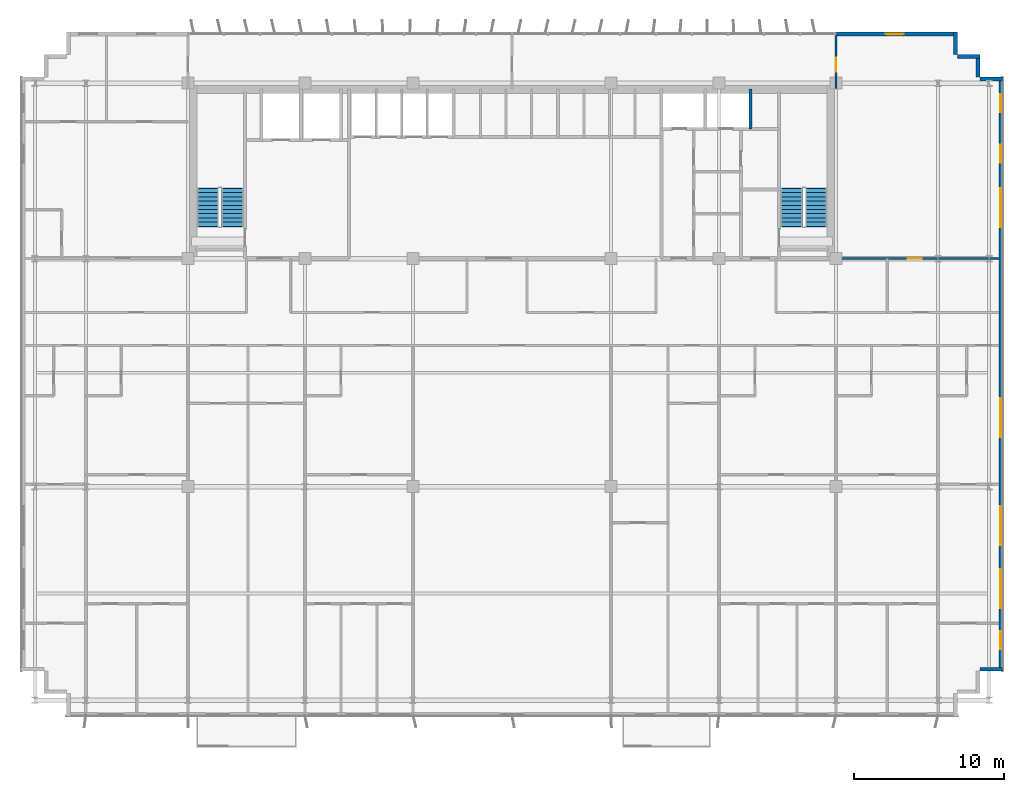
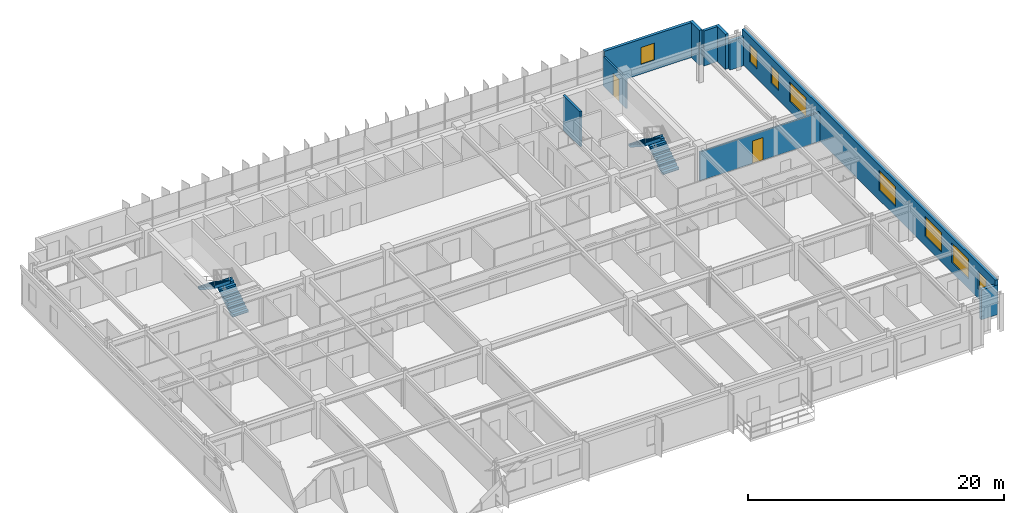
# One storey, part 19 of 22: 10 walls, 8 windows, 4 stair flights, 2 doors, 10 openings, 2 elements without a shape of their own.
"""IFC4 building model written with IfcOpenShell, lengths in metres."""

from ifc_helpers import new_model, si_unit, direction, frame, frame_2d, origin, place, context, subcontext, project, spatial, polyline, rectangle, outline, extrude, source, transform, mapped, material, layer, layer_set, type_object, element, fill, aggregate, save


model = new_model("IFC4")

# Units and contexts
model_context = context("Model", 3, precision=1e-05, world=origin(), true_north=direction((0.0, 1.0)))
body_context = subcontext(model_context, "Body", "Model", "MODEL_VIEW")
ifc_project = project(units=[si_unit("LENGTHUNIT", "METRE"), si_unit("AREAUNIT", "SQUARE_METRE"), si_unit("VOLUMEUNIT", "CUBIC_METRE"), si_unit("PLANEANGLEUNIT", "RADIAN"), si_unit("MASSUNIT", "GRAM", prefix="KILO")], contexts=[model_context])

# Site, building, storey
site_placement = place(None, origin())
site = spatial("IfcSite", under=ifc_project, at=site_placement, CompositionType="ELEMENT")
building_placement = place(site_placement, origin())
building = spatial("IfcBuilding", under=site, at=building_placement, Name="Trelvane Seafront Commons", CompositionType="ELEMENT")
storey_placement = place(building_placement, frame((0.0, 0.0, 96.10009765625)))
storey = spatial("IfcBuildingStorey", under=building, at=storey_placement, Name="L24", CompositionType="ELEMENT", Elevation=96.10009765625)

# Wall, opening, window
ifc_material_1 = material(Name="Precast concrete C40/50", Category="concrete")
ifc_layer_1 = layer(ifc_material_1, 0.260009765625, Name="ARCH-WALL-EXT260")
ifc_layer_set_1 = layer_set([ifc_layer_1], Name="Precast concrete C40/50")
wall_type_1 = type_object("IfcWallType", Name="ARCH-WALL-EXT260", PredefinedType="SOLIDWALL", material=ifc_layer_set_1)
wall_1_placement = place(storey_placement, frame((58.800048828125, 48.3701171875, 0.0), z_axis=(0.0, 0.0, 1.0), x_axis=(1.0, 0.0, 0.0)))
wall_1 = element("IfcWall", 1, at=wall_1_placement, inside=storey, type_object=wall_type_1, Name="EW-L24-NE-0434", PredefinedType="SOLIDWALL", context=body_context, shape_type="SweptSolid", body=[
    extrude(rectangle(XDim=8.0, YDim=0.260009765625, at=frame_2d((4.0, 0.0))), origin(), (0.0, 0.0, 1.0), 3.33984375),
])
opening_1_placement = place(wall_1_placement, frame((3.30810546875, 0.0, 0.89990234375)))
opening_1 = element("IfcOpeningElement", 2, at=opening_1_placement, cuts=wall_1, Name="Opening W05", PredefinedType="OPENING", context=body_context, shape_type="SweptSolid", body=[
    extrude(rectangle(XDim=1.199951171875, YDim=1.64990234375, at=frame_2d((0.60009765625, 0.824951171875))), frame((0.0, 0.139892578125, 0.0), z_axis=(0.0, -1.0, 0.0), x_axis=(1.0, 0.0, 0.0)), (0.0, 0.0, 1.0), 0.280029296875),
])
ifc_material_2 = material(Name="Low-E coastal double glazing", Category="glass")
window_type_1 = type_object("IfcWindowType", Name="ARCH-WIN-W05", PartitioningType="SINGLE_PANEL", PredefinedType="WINDOW", material=ifc_material_2)
shared_shape_1 = source(origin(), body_context, "Body", "SweptSolid", [
    extrude(rectangle(XDim=1.199951171875, YDim=1.64990234375, at=frame_2d((0.60009765625, 0.824951171875))), frame((0.0, 0.030029296875, 0.0), z_axis=(0.0, -1.0, 0.0), x_axis=(1.0, 0.0, 0.0)), (0.0, 0.0, 1.0), 0.06005859375),
])
window_1_placement = place(opening_1_placement, origin())
window_1 = element("IfcWindow", 3, at=window_1_placement, inside=storey, type_object=window_type_1, Name="WIN-L24-00506", OverallHeight=1.64990234375, OverallWidth=1.199951171875, PartitioningType="SINGLE_PANEL", PredefinedType="WINDOW", context=body_context, shape_type="MappedRepresentation", body=[
    mapped(shared_shape_1, transform((0.0, 0.0, 0.0), x_axis=(1.0, 0.0, 0.0), y_axis=(0.0, 1.0, 0.0), z_axis=(0.0, 0.0, 1.0), scale=1.0)),
])
fill(opening_1, window_1)

# Walls
for number, where, z_axis, x_axis, name in (
    (4, (66.77001953125, 48.5, 0.0), (0.0, 0.0, 1.0), (0.0, -1.0, 0.0), "EW-L24-00443"),
    (5, (66.89990234375, 46.8701171875, 0.0), (0.0, 0.0, 1.0), (1.0, 0.0, 0.0), "EW-L24-00444"),
    (6, (68.27001953125, 47.0, 0.0), (0.0, 0.0, 1.0), (0.0, -1.0, 0.0), "EW-L24-00445"),
):
    element("IfcWall", number, at=place(storey_placement, frame(where, z_axis=z_axis, x_axis=x_axis)), inside=storey, type_object=wall_type_1, Name=name, PredefinedType="SOLIDWALL", context=body_context, shape_type="SweptSolid", body=[
        extrude(rectangle(XDim=1.5, YDim=0.260009765625, at=frame_2d((0.75, 0.0))), origin(), (0.0, 0.0, 1.0), 3.33984375),
    ])
wall_2_placement = place(storey_placement, frame((68.39990234375, 45.3701171875, 0.0), z_axis=(0.0, 0.0, 1.0), x_axis=(1.0, 0.0, 0.0)))
element("IfcWall", 7, at=wall_2_placement, inside=storey, type_object=wall_type_1, Name="EW-L24-00446", PredefinedType="SOLIDWALL", context=body_context, shape_type="SweptSolid", body=[
    extrude(rectangle(XDim=1.5, YDim=0.260009765625, at=frame_2d((0.75, 0.0))), origin(), (0.0, 0.0, 1.0), 2.751953125),
])

# Wall, openings, windows
wall_3_placement = place(storey_placement, frame((69.77001953125, 45.5, 0.0), z_axis=(0.0, 0.0, 1.0), x_axis=(0.0, -1.0, 0.0)))
wall_3 = element("IfcWall", 8, at=wall_3_placement, inside=storey, type_object=wall_type_1, Name="EW-L24-00447", PredefinedType="SOLIDWALL", context=body_context, shape_type="SweptSolid", body=[
    extrude(rectangle(XDim=39.60009765625, YDim=0.260009765625, at=frame_2d((19.800048828125, 0.0))), origin(), (0.0, 0.0, 1.0), 3.33984375),
])
opening_2_placement = place(wall_3_placement, frame((36.949951171875, 0.0, 0.919921875)))
opening_2 = element("IfcOpeningElement", 9, at=opening_2_placement, cuts=wall_3, Name="Opening W05", PredefinedType="OPENING", context=body_context, shape_type="SweptSolid", body=[
    extrude(rectangle(XDim=1.199951171875, YDim=1.64990234375, at=frame_2d((0.60009765625, 0.824951171875))), frame((0.0, 0.139892578125, 0.0), z_axis=(0.0, -1.0, 0.0), x_axis=(1.0, 0.0, 0.0)), (0.0, 0.0, 1.0), 0.280029296875),
])
opening_3_placement = place(wall_3_placement, frame((32.800048828125, 0.0, 0.919921875)))
opening_3 = element("IfcOpeningElement", 10, at=opening_3_placement, cuts=wall_3, Name="Opening W04", PredefinedType="OPENING", context=body_context, shape_type="SweptSolid", body=[
    extrude(rectangle(XDim=2.60009765625, YDim=1.89990234375, at=frame_2d((1.300048828125, 0.949951171875))), frame((0.0, 0.139892578125, 0.0), z_axis=(0.0, -1.0, 0.0), x_axis=(1.0, 0.0, 0.0)), (0.0, 0.0, 1.0), 0.280029296875),
])
opening_4_placement = place(wall_3_placement, frame((28.60009765625, 0.0, 0.919921875)))
opening_4 = element("IfcOpeningElement", 11, at=opening_4_placement, cuts=wall_3, Name="Opening W04", PredefinedType="OPENING", context=body_context, shape_type="SweptSolid", body=[
    extrude(rectangle(XDim=2.60009765625, YDim=1.89990234375, at=frame_2d((1.300048828125, 0.949951171875))), frame((0.0, 0.139892578125, 0.0), z_axis=(0.0, -1.0, 0.0), x_axis=(1.0, 0.0, 0.0)), (0.0, 0.0, 1.0), 0.280029296875),
])
opening_5_placement = place(wall_3_placement, frame((21.39990234375, 0.0, 0.919921875)))
opening_5 = element("IfcOpeningElement", 12, at=opening_5_placement, cuts=wall_3, Name="Opening W04", PredefinedType="OPENING", context=body_context, shape_type="SweptSolid", body=[
    extrude(rectangle(XDim=2.60009765625, YDim=1.89990234375, at=frame_2d((1.300048828125, 0.949951171875))), frame((0.0, 0.139892578125, 0.0), z_axis=(0.0, -1.0, 0.0), x_axis=(1.0, 0.0, 0.0)), (0.0, 0.0, 1.0), 0.280029296875),
])
opening_6_placement = place(wall_3_placement, frame((7.39990234375, 0.0, 0.919921875)))
opening_6 = element("IfcOpeningElement", 13, at=opening_6_placement, cuts=wall_3, Name="Opening W04", PredefinedType="OPENING", context=body_context, shape_type="SweptSolid", body=[
    extrude(rectangle(XDim=2.60009765625, YDim=1.89990234375, at=frame_2d((1.300048828125, 0.949951171875))), frame((0.0, 0.139892578125, 0.0), z_axis=(0.0, -1.0, 0.0), x_axis=(1.0, 0.0, 0.0)), (0.0, 0.0, 1.0), 0.280029296875),
])
opening_7_placement = place(wall_3_placement, frame((4.5, 0.0, 0.919921875)))
opening_7 = element("IfcOpeningElement", 14, at=opening_7_placement, cuts=wall_3, Name="Opening W05", PredefinedType="OPENING", context=body_context, shape_type="SweptSolid", body=[
    extrude(rectangle(XDim=1.199951171875, YDim=1.64990234375, at=frame_2d((0.60009765625, 0.824951171875))), frame((0.0, 0.139892578125, 0.0), z_axis=(0.0, -1.0, 0.0), x_axis=(1.0, 0.0, 0.0)), (0.0, 0.0, 1.0), 0.280029296875),
])
opening_8_placement = place(wall_3_placement, frame((1.14990234375, 0.0, 0.919921875)))
opening_8 = element("IfcOpeningElement", 15, at=opening_8_placement, cuts=wall_3, Name="Opening W05", PredefinedType="OPENING", context=body_context, shape_type="SweptSolid", body=[
    extrude(rectangle(XDim=1.199951171875, YDim=1.64990234375, at=frame_2d((0.60009765625, 0.824951171875))), frame((0.0, 0.139892578125, 0.0), z_axis=(0.0, -1.0, 0.0), x_axis=(1.0, 0.0, 0.0)), (0.0, 0.0, 1.0), 0.280029296875),
])
window_type_2 = type_object("IfcWindowType", Name="ARCH-WIN-W04", PartitioningType="SINGLE_PANEL", PredefinedType="WINDOW", material=ifc_material_2)
shared_shape_2 = source(origin(), body_context, "Body", "SweptSolid", [
    extrude(rectangle(XDim=2.60009765625, YDim=1.89990234375, at=frame_2d((1.300048828125, 0.949951171875))), frame((0.0, 0.030029296875, 0.0), z_axis=(0.0, -1.0, 0.0), x_axis=(1.0, 0.0, 0.0)), (0.0, 0.0, 1.0), 0.06005859375),
])
window_2_placement = place(opening_3_placement, origin())
window_2 = element("IfcWindow", 16, at=window_2_placement, inside=storey, type_object=window_type_2, Name="WIN-L24-EW-00513", OverallHeight=1.89990234375, OverallWidth=2.60009765625, PartitioningType="SINGLE_PANEL", PredefinedType="WINDOW", context=body_context, shape_type="MappedRepresentation", body=[
    mapped(shared_shape_2, transform((0.0, 0.0, 0.0), x_axis=(1.0, 0.0, 0.0), y_axis=(0.0, 1.0, 0.0), z_axis=(0.0, 0.0, 1.0), scale=1.0)),
])
fill(opening_3, window_2)
window_3_placement = place(opening_4_placement, origin())
window_3 = element("IfcWindow", 17, at=window_3_placement, inside=storey, type_object=window_type_2, Name="WIN-L24-EW-00514", OverallHeight=1.89990234375, OverallWidth=2.60009765625, PartitioningType="SINGLE_PANEL", PredefinedType="WINDOW", context=body_context, shape_type="MappedRepresentation", body=[
    mapped(shared_shape_2, transform((0.0, 0.0, 0.0), x_axis=(1.0, 0.0, 0.0), y_axis=(0.0, 1.0, 0.0), z_axis=(0.0, 0.0, 1.0), scale=1.0)),
])
fill(opening_4, window_3)
window_4_placement = place(opening_5_placement, origin())
window_4 = element("IfcWindow", 18, at=window_4_placement, inside=storey, type_object=window_type_2, Name="WIN-L24-EW-00515", OverallHeight=1.89990234375, OverallWidth=2.60009765625, PartitioningType="SINGLE_PANEL", PredefinedType="WINDOW", context=body_context, shape_type="MappedRepresentation", body=[
    mapped(shared_shape_2, transform((0.0, 0.0, 0.0), x_axis=(1.0, 0.0, 0.0), y_axis=(0.0, 1.0, 0.0), z_axis=(0.0, 0.0, 1.0), scale=1.0)),
])
fill(opening_5, window_4)
window_5_placement = place(opening_6_placement, origin())
window_5 = element("IfcWindow", 19, at=window_5_placement, inside=storey, type_object=window_type_2, Name="WIN-L24-EW-00516", OverallHeight=1.89990234375, OverallWidth=2.60009765625, PartitioningType="SINGLE_PANEL", PredefinedType="WINDOW", context=body_context, shape_type="MappedRepresentation", body=[
    mapped(shared_shape_2, transform((0.0, 0.0, 0.0), x_axis=(1.0, 0.0, 0.0), y_axis=(0.0, 1.0, 0.0), z_axis=(0.0, 0.0, 1.0), scale=1.0)),
])
fill(opening_6, window_5)
window_6_placement = place(opening_2_placement, origin())
window_6 = element("IfcWindow", 20, at=window_6_placement, inside=storey, type_object=window_type_1, Name="WIN-L24-EW-00512", OverallHeight=1.64990234375, OverallWidth=1.199951171875, PartitioningType="SINGLE_PANEL", PredefinedType="WINDOW", context=body_context, shape_type="MappedRepresentation", body=[
    mapped(shared_shape_1, transform((0.0, 0.0, 0.0), x_axis=(1.0, 0.0, 0.0), y_axis=(0.0, 1.0, 0.0), z_axis=(0.0, 0.0, 1.0), scale=1.0)),
])
fill(opening_2, window_6)
window_7_placement = place(opening_7_placement, origin())
window_7 = element("IfcWindow", 21, at=window_7_placement, inside=storey, type_object=window_type_1, Name="WIN-L24-EW-00517", OverallHeight=1.64990234375, OverallWidth=1.199951171875, PartitioningType="SINGLE_PANEL", PredefinedType="WINDOW", context=body_context, shape_type="MappedRepresentation", body=[
    mapped(shared_shape_1, transform((0.0, 0.0, 0.0), x_axis=(1.0, 0.0, 0.0), y_axis=(0.0, 1.0, 0.0), z_axis=(0.0, 0.0, 1.0), scale=1.0)),
])
fill(opening_7, window_7)
window_8_placement = place(opening_8_placement, origin())
window_8 = element("IfcWindow", 22, at=window_8_placement, inside=storey, type_object=window_type_1, Name="WIN-L24-EW-00518", OverallHeight=1.64990234375, OverallWidth=1.199951171875, PartitioningType="SINGLE_PANEL", PredefinedType="WINDOW", context=body_context, shape_type="MappedRepresentation", body=[
    mapped(shared_shape_1, transform((0.0, 0.0, 0.0), x_axis=(1.0, 0.0, 0.0), y_axis=(0.0, 1.0, 0.0), z_axis=(0.0, 0.0, 1.0), scale=1.0)),
])
fill(opening_8, window_8)

# Wall
wall_4_placement = place(storey_placement, frame((69.89990234375, 6.030029296875, 0.0), z_axis=(0.0, 0.0, 1.0), x_axis=(-1.0, 0.0, 0.0)))
element("IfcWall", 23, at=wall_4_placement, inside=storey, type_object=wall_type_1, Name="EW-L24-00448", PredefinedType="SOLIDWALL", context=body_context, shape_type="SweptSolid", body=[
    extrude(rectangle(XDim=1.5, YDim=0.260009765625, at=frame_2d((0.75, 0.0))), origin(), (0.0, 0.0, 1.0), 2.83984375),
])

# Wall, opening, door
ifc_material_3 = material(Name="Gypsum Drywall Acoustic Partition")
ifc_layer_2 = layer(ifc_material_3, 0.14990234375, Name="ARCH-WALL-PART150")
ifc_layer_set_2 = layer_set([ifc_layer_2], Name="Gypsum Drywall Acoustic Partition")
wall_type_2 = type_object("IfcWallType", Name="ARCH-WALL-PART150", PredefinedType="PARTITIONING", material=ifc_layer_set_2)
wall_5_placement = place(storey_placement, frame((58.800048828125, 33.39990234375, 0.0), z_axis=(0.0, 0.0, 1.0), x_axis=(1.0, 0.0, 0.0)))
wall_5 = element("IfcWall", 24, at=wall_5_placement, inside=storey, type_object=wall_type_2, Name="W-L24-NE-ENT-056", PredefinedType="PARTITIONING", context=body_context, shape_type="SweptSolid", body=[
    extrude(rectangle(XDim=10.849853515625, YDim=0.14990234375, at=frame_2d((5.4248046875, 0.0))), origin(), (0.0, 0.0, 1.0), 2.751953125),
])
opening_9_placement = place(wall_5_placement, frame((4.760009765625, 0.0, 0.0)))
opening_9 = element("IfcOpeningElement", 25, at=opening_9_placement, cuts=wall_5, Name="Opening FD-L24-28", PredefinedType="OPENING", context=body_context, shape_type="SweptSolid", body=[
    extrude(rectangle(XDim=0.949951171875, YDim=2.14990234375, at=frame_2d((0.47509765625, 1.074951171875))), frame((0.0, 0.0849609375, 0.0), z_axis=(0.0, -1.0, 0.0), x_axis=(1.0, 0.0, 0.0)), (0.0, 0.0, 1.0), 0.169921875),
])
ifc_material_4 = material(Name="Powder-coated aluminium frame", Category="aluminium")
door_type = type_object("IfcDoorType", Name="ARCH-DR-FD60-950", OperationType="NOTDEFINED", PredefinedType="DOOR", material=ifc_material_4)
shared_shape_3 = source(origin(), body_context, "Body", "SweptSolid", [
    extrude(rectangle(XDim=0.949951171875, YDim=2.14990234375, at=frame_2d((0.47509765625, 1.074951171875))), frame((0.0, 0.02490234375, 0.0), z_axis=(0.0, -1.0, 0.0), x_axis=(1.0, 0.0, 0.0)), (0.0, 0.0, 1.0), 0.050048828125),
])
door_1_placement = place(opening_9_placement, origin())
door_1 = element("IfcDoor", 26, at=door_1_placement, inside=storey, type_object=door_type, Name="L24 NE Suite Entrance Door", OperationType="SINGLE_SWING_RIGHT", OverallHeight=2.14990234375, OverallWidth=0.949951171875, PredefinedType="DOOR", context=body_context, shape_type="MappedRepresentation", body=[
    mapped(shared_shape_3, transform((0.0, 0.0, 0.0), x_axis=(1.0, 0.0, 0.0), y_axis=(0.0, 1.0, 0.0), z_axis=(0.0, 0.0, 1.0), scale=1.0)),
])
fill(opening_9, door_1)

wall_6_placement = place(storey_placement, frame((58.800048828125, 44.75, 0.0), z_axis=(0.0, 0.0, 1.0), x_axis=(0.0, 1.0, 0.0)))
wall_6 = element("IfcWall", 27, at=wall_6_placement, inside=storey, type_object=wall_type_2, Name="W-L24-N-LINK-E-059", PredefinedType="PARTITIONING", context=body_context, shape_type="SweptSolid", body=[
    extrude(rectangle(XDim=3.610107421875, YDim=0.14990234375, at=frame_2d((1.80517578125, 0.0))), origin(), (0.0, 0.0, 1.0), 2.83984375),
])
opening_10_placement = place(wall_6_placement, frame((1.10009765625, 0.0, 0.0)))
opening_10 = element("IfcOpeningElement", 28, at=opening_10_placement, cuts=wall_6, Name="Opening FD-L24-31", PredefinedType="OPENING", context=body_context, shape_type="SweptSolid", body=[
    extrude(rectangle(XDim=0.949951171875, YDim=2.14990234375, at=frame_2d((0.47509765625, 1.074951171875))), frame((0.0, 0.0849609375, 0.0), z_axis=(0.0, -1.0, 0.0), x_axis=(1.0, 0.0, 0.0)), (0.0, 0.0, 1.0), 0.169921875),
])
door_2_placement = place(opening_10_placement, origin())
door_2 = element("IfcDoor", 29, at=door_2_placement, inside=storey, type_object=door_type, Name="L24 Door 31", OperationType="SINGLE_SWING_LEFT", OverallHeight=2.14990234375, OverallWidth=0.949951171875, PredefinedType="DOOR", context=body_context, shape_type="MappedRepresentation", body=[
    mapped(shared_shape_3, transform((0.0, 0.0, 0.0), x_axis=(1.0, 0.0, 0.0), y_axis=(0.0, 1.0, 0.0), z_axis=(0.0, 0.0, 1.0), scale=1.0)),
])
fill(opening_10, door_2)

# Wall
ifc_material_5 = material(Name="Concrete C40/50", Category="concrete")
ifc_layer_3 = layer(ifc_material_5, 0.199951171875, Name="ARCH-WALL-SHAFT200")
ifc_layer_set_3 = layer_set([ifc_layer_3], Name="Concrete C40/50")
wall_type_3 = type_object("IfcWallType", Name="ARCH-WALL-SHAFT200", PredefinedType="SOLIDWALL", material=ifc_layer_set_3)
wall_7_placement = place(storey_placement, frame((53.10009765625, 42.050048828125, 0.0), z_axis=(0.0, 0.0, 1.0), x_axis=(0.0, 1.0, 0.0)))
element("IfcWall", 30, at=wall_7_placement, inside=storey, type_object=wall_type_3, Name="W-L24-RSR-E-032", PredefinedType="SOLIDWALL", context=body_context, shape_type="SweptSolid", body=[
    extrude(rectangle(XDim=2.64990234375, YDim=0.199951171875, at=frame_2d((1.324951171875, 0.0))), origin(), (0.0, 0.0, 1.0), 3.33984375),
])

# Stair, stair flights
stair_type_1 = type_object("IfcStairType", Name="ARCH-STR-ST-1-R20-180", PredefinedType="HALF_TURN_STAIR", material=ifc_material_5)
stair_1_placement = place(storey_placement, origin())
stair_1 = element("IfcStair", 31, at=stair_1_placement, inside=storey, type_object=stair_type_1, Name="L24 West Protected Firefighting Exit Stair ST-1", PredefinedType="HALF_TURN_STAIR")
stair_flight_type_1 = type_object("IfcStairFlightType", Name="ARCH-FLG-ST-1-R20-180", PredefinedType="STRAIGHT", material=ifc_material_5)
shared_shape_4 = source(origin(), body_context, "Body", "SweptSolid", [
    extrude(outline(polyline([(-0.050048828125, -0.02001953125), (-0.050048828125, 0.0), (0.0, 0.0), (0.0, 0.179931640625), (0.280029296875, 0.179931640625), (0.280029296875, 0.360107421875), (0.56005859375, 0.360107421875), (0.56005859375, 0.5400390625), (0.840087890625, 0.5400390625), (0.840087890625, 0.719970703125), (1.1201171875, 0.719970703125), (1.1201171875, 0.89990234375), (1.39990234375, 0.89990234375), (1.39990234375, 1.080078125), (1.679931640625, 1.080078125), (1.679931640625, 1.260009765625), (1.9599609375, 1.260009765625), (1.9599609375, 1.43994140625), (2.239990234375, 1.43994140625), (2.239990234375, 1.6201171875), (2.52001953125, 1.6201171875), (2.52001953125, 1.800048828125), (2.570068359375, 1.800048828125), (2.570068359375, 1.650146484375), (2.52001953125, 1.44189453125), (0.277099609375, -0.02001953125), (-0.050048828125, -0.02001953125)])), frame((0.0, 0.72509765625, 0.0), z_axis=(0.0, -1.0, 0.0), x_axis=(1.0, 0.0, 0.0)), (0.0, 0.0, 1.0), 1.449951171875),
])
stair_flight_1_placement = place(storey_placement, frame((18.574951171875, 35.550048828125, 0.0), z_axis=(0.0, 0.0, 1.0), x_axis=(0.0, 1.0, 0.0)))
stair_flight_1 = element("IfcStairFlight", 32, at=stair_flight_1_placement, type_object=stair_flight_type_1, Name="ST-1 flight 1", NumberOfRisers=10, NumberOfTreads=9, PredefinedType="STRAIGHT", RiserHeight=0.18, TreadLength=0.28, context=body_context, shape_type="MappedRepresentation", body=[
    mapped(shared_shape_4, transform((0.0, 0.0, 0.0), x_axis=(1.0, 0.0, 0.0), y_axis=(0.0, 1.0, 0.0), z_axis=(0.0, 0.0, 1.0), scale=1.0)),
])
stair_flight_2_placement = place(storey_placement, frame((16.925048828125, 38.070068359375, 1.7998046875), z_axis=(0.0, 0.0, 1.0), x_axis=(0.0, -1.0, 0.0)))
stair_flight_2 = element("IfcStairFlight", 33, at=stair_flight_2_placement, type_object=stair_flight_type_1, Name="ST-1 flight 2", NumberOfRisers=10, NumberOfTreads=9, PredefinedType="STRAIGHT", RiserHeight=0.18, TreadLength=0.28, context=body_context, shape_type="MappedRepresentation", body=[
    mapped(shared_shape_4, transform((0.0, 0.0, 0.0), x_axis=(1.0, 0.0, 0.0), y_axis=(0.0, 1.0, 0.0), z_axis=(0.0, 0.0, 1.0), scale=1.0)),
])
aggregate(stair_1, [stair_flight_1, stair_flight_2])

stair_type_2 = type_object("IfcStairType", Name="ARCH-STR-ST-2-R20-180", PredefinedType="HALF_TURN_STAIR", material=ifc_material_5)
stair_2_placement = place(storey_placement, origin())
stair_2 = element("IfcStair", 34, at=stair_2_placement, inside=storey, type_object=stair_type_2, Name="L24 East Protected Firefighting Exit Stair ST-2", PredefinedType="HALF_TURN_STAIR")
stair_flight_type_2 = type_object("IfcStairFlightType", Name="ARCH-FLG-ST-2-R20-180", PredefinedType="STRAIGHT", material=ifc_material_5)
stair_flight_3_placement = place(storey_placement, frame((57.47509765625, 35.550048828125, 0.0), z_axis=(0.0, 0.0, 1.0), x_axis=(0.0, 1.0, 0.0)))
stair_flight_3 = element("IfcStairFlight", 35, at=stair_flight_3_placement, type_object=stair_flight_type_2, Name="ST-2 flight 1", NumberOfRisers=10, NumberOfTreads=9, PredefinedType="STRAIGHT", RiserHeight=0.18, TreadLength=0.28, context=body_context, shape_type="MappedRepresentation", body=[
    mapped(shared_shape_4, transform((0.0, 0.0, 0.0), x_axis=(1.0, 0.0, 0.0), y_axis=(0.0, 1.0, 0.0), z_axis=(0.0, 0.0, 1.0), scale=1.0)),
])
stair_flight_4_placement = place(storey_placement, frame((55.824951171875, 38.070068359375, 1.7998046875), z_axis=(0.0, 0.0, 1.0), x_axis=(0.0, -1.0, 0.0)))
stair_flight_4 = element("IfcStairFlight", 36, at=stair_flight_4_placement, type_object=stair_flight_type_2, Name="ST-2 flight 2", NumberOfRisers=10, NumberOfTreads=9, PredefinedType="STRAIGHT", RiserHeight=0.18, TreadLength=0.28, context=body_context, shape_type="MappedRepresentation", body=[
    mapped(shared_shape_4, transform((0.0, 0.0, 0.0), x_axis=(1.0, 0.0, 0.0), y_axis=(0.0, 1.0, 0.0), z_axis=(0.0, 0.0, 1.0), scale=1.0)),
])
aggregate(stair_2, [stair_flight_3, stair_flight_4])

save(model, "model.ifc")
